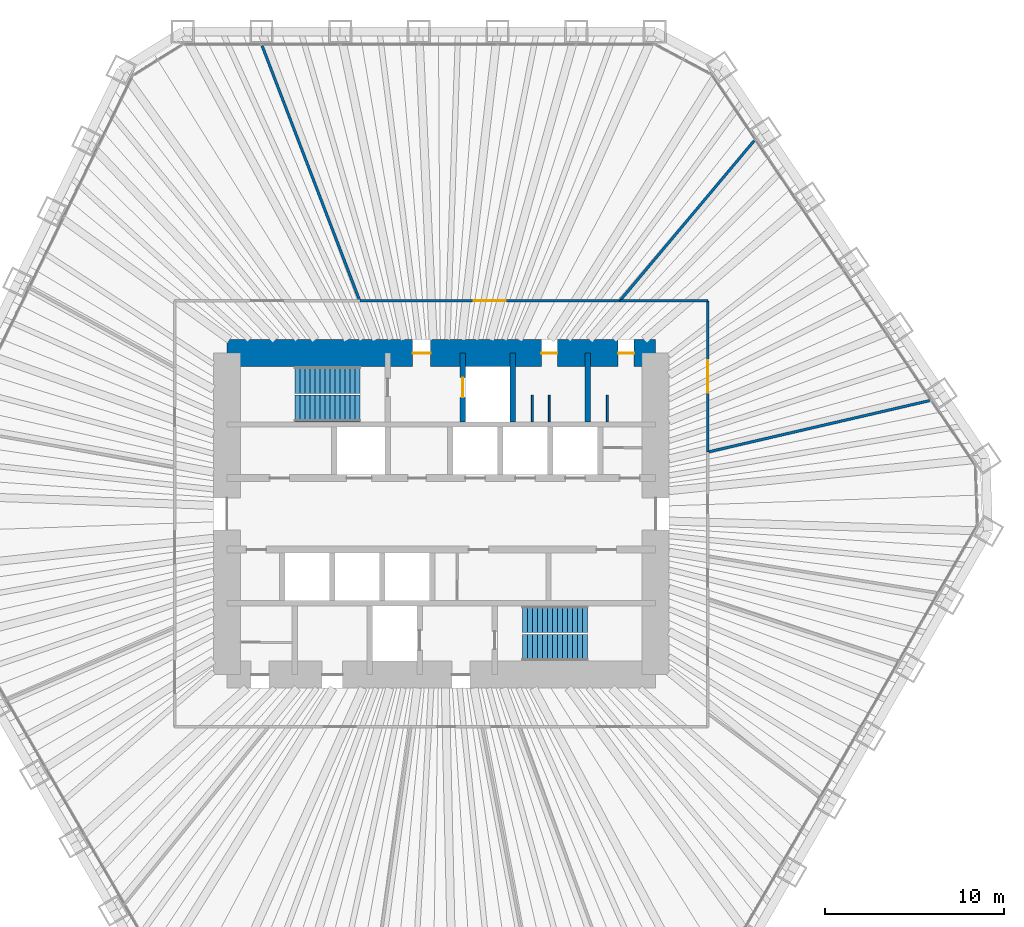
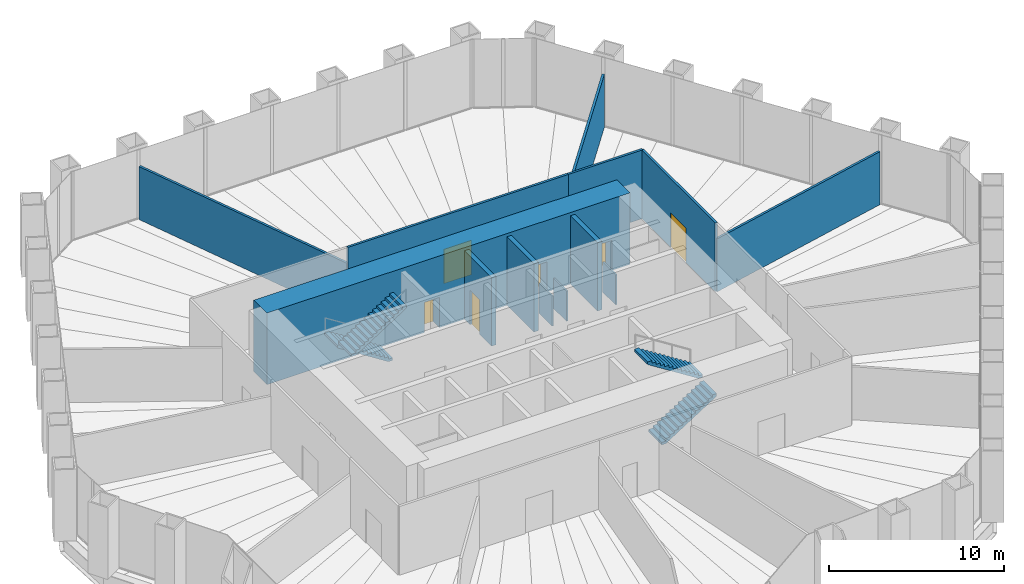
# One storey, part 12 of 13: 13 walls, 6 doors, 4 stair flights, 6 openings, 2 elements without a shape of their own.
"""IFC4 building model written with IfcOpenShell, lengths in metres."""

from ifc_helpers import new_model, si_unit, direction, frame, frame_2d, origin, place, context, subcontext, project, spatial, polyline, rectangle, outline, extrude, material, layer, layer_set, type_object, element, fill, aggregate, save


model = new_model("IFC4")

# Units and contexts
model_context = context("Model", 3, precision=1e-05, world=origin(), true_north=direction((0.0, 1.0)))
body_context = subcontext(model_context, "Body", "Model", "MODEL_VIEW")
ifc_project = project(units=[si_unit("LENGTHUNIT", "METRE"), si_unit("AREAUNIT", "SQUARE_METRE"), si_unit("VOLUMEUNIT", "CUBIC_METRE"), si_unit("PLANEANGLEUNIT", "RADIAN"), si_unit("MASSUNIT", "GRAM", prefix="KILO")], contexts=[model_context])

# Site, building, storey
site_placement = place(None, origin())
site = spatial("IfcSite", under=ifc_project, at=site_placement, CompositionType="ELEMENT")
building_placement = place(site_placement, origin())
building = spatial("IfcBuilding", under=site, at=building_placement, Name="Qingtian Harvest Tower", CompositionType="ELEMENT")
storey_placement = place(building_placement, frame((0.0, 0.0, 22.0)))
storey = spatial("IfcBuildingStorey", under=building, at=storey_placement, Name="L04", CompositionType="ELEMENT", Elevation=22.0)

# Wall, opening, door
ifc_material_1 = material(Name="Precast concrete shaft panel", Category="concrete")
ifc_layer_1 = layer(ifc_material_1, 0.300048828125)
ifc_layer_set_1 = layer_set([ifc_layer_1], Name="Core shaft partition SW1 300")
wall_type_1 = type_object("IfcWallType", Name="Core shaft partition SW1 300", PredefinedType="PARTITIONING", material=ifc_layer_set_1)
wall_1_placement = place(storey_placement, frame((1.199951171875, 5.14990234375, 0.0), z_axis=(0.0, 0.0, 1.0), x_axis=(0.0, 1.0, 0.0)))
wall_1 = element("IfcWall", 1, at=wall_1_placement, inside=storey, type_object=wall_type_1, Name="Core shaft partition XN2 L04", PredefinedType="PARTITIONING", context=body_context, shape_type="SweptSolid", body=[
    extrude(rectangle(XDim=3.85009765625, YDim=0.300048828125, at=frame_2d((1.925048828125, 0.0))), origin(), (0.0, 0.0, 1.0), 4.780029296875),
])
opening_1_placement = place(wall_1_placement, frame((1.375, 0.0, 0.0)))
opening_1 = element("IfcOpeningElement", 2, at=opening_1_placement, cuts=wall_1, Name="Opening LD1", PredefinedType="OPENING", context=body_context, shape_type="SweptSolid", body=[
    extrude(rectangle(XDim=1.10009765625, YDim=2.39990234375, at=frame_2d((0.550048828125, 1.199951171875))), frame((0.0, 0.159912109375, 0.0), z_axis=(0.0, -1.0, 0.0), x_axis=(1.0, 0.0, 0.0)), (0.0, 0.0, 1.0), 0.320068359375),
])
ifc_material_2 = material(Name="Stainless steel lift landing door", Category="steel")
door_type_1 = type_object("IfcDoorType", Name="Lift landing door LD1 1 HR", OperationType="DOUBLE_DOOR_SLIDING", PredefinedType="DOOR", material=ifc_material_2)
door_1_placement = place(opening_1_placement, origin())
door_1 = element("IfcDoor", 3, at=door_1_placement, inside=storey, type_object=door_type_1, Name="FL1 landing door L04", OperationType="DOUBLE_DOOR_SLIDING", OverallHeight=2.39990234375, OverallWidth=1.10009765625, PredefinedType="DOOR", context=body_context, shape_type="SweptSolid", body=[
    extrude(rectangle(XDim=1.10009765625, YDim=2.39990234375, at=frame_2d((0.550048828125, 1.199951171875))), frame((0.0, 0.02490234375, 0.0), z_axis=(0.0, -1.0, 0.0), x_axis=(1.0, 0.0, 0.0)), (0.0, 0.0, 1.0), 0.050048828125),
])
fill(opening_1, door_1)

# Walls
for number, where, z_axis, x_axis, name in (
    (4, (4.0, 5.14990234375, 0.0), (0.0, 0.0, 1.0), (0.0, 1.0, 0.0), "Core shaft partition XN3 L04"),
    (5, (8.199951171875, 5.14990234375, 0.0), (0.0, 0.0, 1.0), (0.0, 1.0, 0.0), "Core shaft partition XN4 L04"),
):
    element("IfcWall", number, at=place(storey_placement, frame(where, z_axis=z_axis, x_axis=x_axis)), inside=storey, type_object=wall_type_1, Name=name, PredefinedType="PARTITIONING", context=body_context, shape_type="SweptSolid", body=[
        extrude(rectangle(XDim=3.85009765625, YDim=0.300048828125, at=frame_2d((1.925048828125, 0.0))), origin(), (0.0, 0.0, 1.0), 4.780029296875),
    ])

# Wall, openings, doors
ifc_material_3 = material(Name="Concrete fc' 70 MPa", Category="concrete")
ifc_layer_2 = layer(ifc_material_3, 1.5)
ifc_layer_set_2 = layer_set([ifc_layer_2], Name="Core wall RC1 1500")
wall_type_2 = type_object("IfcWallType", Name="Core wall RC1 1500", PredefinedType="SHEAR", material=ifc_layer_set_2)
wall_2_placement = place(storey_placement, frame((-12.0, 9.0, 0.0), z_axis=(0.0, 0.0, 1.0), x_axis=(1.0, 0.0, 0.0)))
wall_2 = element("IfcWall", 6, at=wall_2_placement, inside=storey, type_object=wall_type_2, Name="Core wall CN L04", PredefinedType="SHEAR", context=body_context, shape_type="SweptSolid", body=[
    extrude(rectangle(XDim=24.0, YDim=1.5, at=frame_2d((12.0, 0.0))), origin(), (0.0, 0.0, 1.0), 5.0),
])
opening_2_placement = place(wall_2_placement, frame((10.39990234375, 0.0, 0.0)))
opening_2 = element("IfcOpeningElement", 7, at=opening_2_placement, cuts=wall_2, Name="Opening FD1", PredefinedType="OPENING", context=body_context, shape_type="SweptSolid", body=[
    extrude(rectangle(XDim=1.0, YDim=2.10009765625, at=frame_2d((0.5, 1.050048828125))), frame((0.0, 0.760009765625, 0.0), z_axis=(0.0, -1.0, 0.0), x_axis=(1.0, 0.0, 0.0)), (0.0, 0.0, 1.0), 1.52001953125),
])
opening_3_placement = place(wall_2_placement, frame((17.60009765625, 0.0, 0.0)))
opening_3 = element("IfcOpeningElement", 8, at=opening_3_placement, cuts=wall_2, Name="Opening D1", PredefinedType="OPENING", context=body_context, shape_type="SweptSolid", body=[
    extrude(rectangle(XDim=0.89990234375, YDim=2.10009765625, at=frame_2d((0.449951171875, 1.050048828125))), frame((0.0, 0.760009765625, 0.0), z_axis=(0.0, -1.0, 0.0), x_axis=(1.0, 0.0, 0.0)), (0.0, 0.0, 1.0), 1.52001953125),
])
opening_4_placement = place(wall_2_placement, frame((21.89990234375, 0.0, 0.0)))
opening_4 = element("IfcOpeningElement", 9, at=opening_4_placement, cuts=wall_2, Name="Opening D1", PredefinedType="OPENING", context=body_context, shape_type="SweptSolid", body=[
    extrude(rectangle(XDim=0.89990234375, YDim=2.10009765625, at=frame_2d((0.449951171875, 1.050048828125))), frame((0.0, 0.760009765625, 0.0), z_axis=(0.0, -1.0, 0.0), x_axis=(1.0, 0.0, 0.0)), (0.0, 0.0, 1.0), 1.52001953125),
])
ifc_material_4 = material(Name="Steel-faced door leaf", Category="steel")
door_type_2 = type_object("IfcDoorType", Name="Fire door FD1 single 1 HR", OperationType="SINGLE_SWING_LEFT", PredefinedType="DOOR", material=ifc_material_4)
door_2_placement = place(opening_2_placement, origin())
door_2 = element("IfcDoor", 10, at=door_2_placement, inside=storey, type_object=door_type_2, Name="V1 door L04", OperationType="SINGLE_SWING_LEFT", OverallHeight=2.10009765625, OverallWidth=1.0, PredefinedType="DOOR", context=body_context, shape_type="SweptSolid", body=[
    extrude(rectangle(XDim=1.0, YDim=2.10009765625, at=frame_2d((0.5, 1.050048828125))), frame((0.0, 0.02490234375, 0.0), z_axis=(0.0, -1.0, 0.0), x_axis=(1.0, 0.0, 0.0)), (0.0, 0.0, 1.0), 0.050048828125),
])
fill(opening_2, door_2)
ifc_material_5 = material(Name="Laminated timber door leaf", Category="wood")
door_type_3 = type_object("IfcDoorType", Name="Toilet door D1 single", OperationType="SINGLE_SWING_LEFT", PredefinedType="DOOR", material=ifc_material_5)
door_3_placement = place(opening_3_placement, origin())
door_3 = element("IfcDoor", 11, at=door_3_placement, inside=storey, type_object=door_type_3, Name="WCM door L04", OperationType="SINGLE_SWING_RIGHT", OverallHeight=2.10009765625, OverallWidth=0.89990234375, PredefinedType="DOOR", context=body_context, shape_type="SweptSolid", body=[
    extrude(rectangle(XDim=0.89990234375, YDim=2.10009765625, at=frame_2d((0.449951171875, 1.050048828125))), frame((0.0, 0.02490234375, 0.0), z_axis=(0.0, -1.0, 0.0), x_axis=(1.0, 0.0, 0.0)), (0.0, 0.0, 1.0), 0.050048828125),
])
fill(opening_3, door_3)
door_4_placement = place(opening_4_placement, origin())
door_4 = element("IfcDoor", 12, at=door_4_placement, inside=storey, type_object=door_type_3, Name="WCF door L04", OperationType="SINGLE_SWING_RIGHT", OverallHeight=2.10009765625, OverallWidth=0.89990234375, PredefinedType="DOOR", context=body_context, shape_type="SweptSolid", body=[
    extrude(rectangle(XDim=0.89990234375, YDim=2.10009765625, at=frame_2d((0.449951171875, 1.050048828125))), frame((0.0, 0.02490234375, 0.0), z_axis=(0.0, -1.0, 0.0), x_axis=(1.0, 0.0, 0.0)), (0.0, 0.0, 1.0), 0.050048828125),
])
fill(opening_4, door_4)

# Wall
ifc_material_6 = material(Name="Gypsum board on steel studs", Category="steel")
ifc_layer_3 = layer(ifc_material_6, 0.14990234375)
ifc_layer_set_3 = layer_set([ifc_layer_3], Name="Partition PT1 150")
wall_type_3 = type_object("IfcWallType", Name="Partition PT1 150", PredefinedType="PARTITIONING", material=ifc_layer_set_3)
wall_3_placement = place(storey_placement, frame((-10.031005859375, 26.20654296875, 0.0), z_axis=(0.0, 0.0, 1.0), x_axis=(0.357478701909, -0.933921290946, 0.0)))
element("IfcWall", 13, at=wall_3_placement, inside=storey, type_object=wall_type_3, Name="Leafy greens growing room wall L04", PredefinedType="PARTITIONING", context=body_context, shape_type="SweptSolid", body=[
    extrude(rectangle(XDim=15.2919921875, YDim=0.14990234375, at=frame_2d((7.64599609375, 0.0))), origin(), (0.0, 0.0, 1.0), 3.699951171875),
])

# Wall, opening, door
wall_4_placement = place(storey_placement, frame((-4.564453125, 11.925048828125, 0.0), z_axis=(0.0, 0.0, 1.0), x_axis=(1.0, 0.0, 0.0)))
wall_4 = element("IfcWall", 14, at=wall_4_placement, inside=storey, type_object=wall_type_3, Name="Leafy greens growing room wall L04", PredefinedType="PARTITIONING", context=body_context, shape_type="SweptSolid", body=[
    extrude(rectangle(XDim=14.5634765625, YDim=0.14990234375, at=frame_2d((7.28173828125, 0.0))), origin(), (0.0, 0.0, 1.0), 4.800048828125),
])
opening_5_placement = place(wall_4_placement, frame((6.3818359375, 0.0, 0.0)))
opening_5 = element("IfcOpeningElement", 15, at=opening_5_placement, cuts=wall_4, Name="Opening D3", PredefinedType="OPENING", context=body_context, shape_type="SweptSolid", body=[
    extrude(rectangle(XDim=1.800048828125, YDim=2.39990234375, at=frame_2d((0.89990234375, 1.199951171875))), frame((0.0, 0.0849609375, 0.0), z_axis=(0.0, -1.0, 0.0), x_axis=(1.0, 0.0, 0.0)), (0.0, 0.0, 1.0), 0.169921875),
])
ifc_material_7 = material(Name="Laminated timber door leaf", Category="wood")
door_type_4 = type_object("IfcDoorType", Name="Room door D3 double", OperationType="DOUBLE_DOOR_DOUBLE_SWING", PredefinedType="DOOR", material=ifc_material_7)
door_5_placement = place(opening_5_placement, origin())
door_5 = element("IfcDoor", 16, at=door_5_placement, inside=storey, type_object=door_type_4, Name="Leafy greens growing room door L04", OperationType="DOUBLE_DOOR_DOUBLE_SWING", OverallHeight=2.39990234375, OverallWidth=1.800048828125, PredefinedType="DOOR", context=body_context, shape_type="SweptSolid", body=[
    extrude(rectangle(XDim=1.800048828125, YDim=2.39990234375, at=frame_2d((0.89990234375, 1.199951171875))), frame((0.0, 0.02490234375, 0.0), z_axis=(0.0, -1.0, 0.0), x_axis=(1.0, 0.0, 0.0)), (0.0, 0.0, 1.0), 0.050048828125),
])
fill(opening_5, door_5)

# Walls
wall_5_placement = place(storey_placement, frame((17.5166015625, 20.890625, 0.0), z_axis=(0.0, 0.0, 1.0), x_axis=(-0.642515050703, -0.766273064658, 0.0)))
element("IfcWall", 17, at=wall_5_placement, inside=storey, type_object=wall_type_3, Name="Leafy greens growing room wall L04", PredefinedType="PARTITIONING", context=body_context, shape_type="SweptSolid", body=[
    extrude(rectangle(XDim=11.7001953125, YDim=0.14990234375, at=frame_2d((5.85009765625, 0.0))), origin(), (0.0, 0.0, 1.0), 3.699951171875),
])
wall_6_placement = place(storey_placement, frame((9.9990234375, 11.925048828125, 0.0), z_axis=(0.0, 0.0, 1.0), x_axis=(1.0, 0.0, 0.0)))
element("IfcWall", 18, at=wall_6_placement, inside=storey, type_object=wall_type_3, Name="Leafy greens growing room wall L04", PredefinedType="PARTITIONING", context=body_context, shape_type="SweptSolid", body=[
    extrude(rectangle(XDim=4.926025390625, YDim=0.14990234375, at=frame_2d((2.462890625, 0.0))), origin(), (0.0, 0.0, 1.0), 4.800048828125),
])

# Wall, opening, door
wall_7_placement = place(storey_placement, frame((14.925048828125, 11.925048828125, 0.0), z_axis=(0.0, 0.0, 1.0), x_axis=(0.0, -1.0, 0.0)))
wall_7 = element("IfcWall", 19, at=wall_7_placement, inside=storey, type_object=wall_type_3, Name="Leafy greens growing room wall L04", PredefinedType="PARTITIONING", context=body_context, shape_type="SweptSolid", body=[
    extrude(rectangle(XDim=8.46435546875, YDim=0.14990234375, at=frame_2d((4.232177734375, 0.0))), origin(), (0.0, 0.0, 1.0), 4.800048828125),
])
opening_6_placement = place(wall_7_placement, frame((3.33203125, 0.0, 0.0)))
opening_6 = element("IfcOpeningElement", 20, at=opening_6_placement, cuts=wall_7, Name="Opening D3", PredefinedType="OPENING", context=body_context, shape_type="SweptSolid", body=[
    extrude(rectangle(XDim=1.800048828125, YDim=2.39990234375, at=frame_2d((0.89990234375, 1.199951171875))), frame((0.0, 0.0849609375, 0.0), z_axis=(0.0, -1.0, 0.0), x_axis=(1.0, 0.0, 0.0)), (0.0, 0.0, 1.0), 0.169921875),
])
door_6_placement = place(opening_6_placement, origin())
door_6 = element("IfcDoor", 21, at=door_6_placement, inside=storey, type_object=door_type_4, Name="Leafy greens growing room door L04", OperationType="DOUBLE_DOOR_DOUBLE_SWING", OverallHeight=2.39990234375, OverallWidth=1.800048828125, PredefinedType="DOOR", context=body_context, shape_type="SweptSolid", body=[
    extrude(rectangle(XDim=1.800048828125, YDim=2.39990234375, at=frame_2d((0.89990234375, 1.199951171875))), frame((0.0, 0.02490234375, 0.0), z_axis=(0.0, -1.0, 0.0), x_axis=(1.0, 0.0, 0.0)), (0.0, 0.0, 1.0), 0.050048828125),
])
fill(opening_6, door_6)

# Walls
wall_8_placement = place(storey_placement, frame((27.335693359375, 6.33837890625, 0.0), z_axis=(0.0, 0.0, 1.0), x_axis=(-0.97415520937, -0.22587967606, 0.0)))
element("IfcWall", 22, at=wall_8_placement, inside=storey, type_object=wall_type_3, Name="Herb growing room wall L04", PredefinedType="PARTITIONING", context=body_context, shape_type="SweptSolid", body=[
    extrude(rectangle(XDim=12.739990234375, YDim=0.14990234375, at=frame_2d((6.3701171875, 0.0))), origin(), (0.0, 0.0, 1.0), 3.699951171875),
])
ifc_material_8 = material(Name="Compact laminate cubicle partition", Category="plastic")
ifc_layer_4 = layer(ifc_material_8, 0.10009765625)
ifc_layer_set_4 = layer_set([ifc_layer_4], Name="WC cubicle partition WP1 100")
wall_type_4 = type_object("IfcWallType", Name="WC cubicle partition WP1 100", PredefinedType="PARTITIONING", material=ifc_layer_set_4)
for number, where, z_axis, x_axis, name in (
    (23, (5.10009765625, 5.14990234375, 0.0), (0.0, 0.0, 1.0), (0.0, 1.0, 0.0), "WC cubicle partition WCM L04"),
    (24, (6.050048828125, 5.14990234375, 0.0), (0.0, 0.0, 1.0), (0.0, 1.0, 0.0), "WC cubicle partition WCM L04"),
    (25, (9.300048828125, 5.14990234375, 0.0), (0.0, 0.0, 1.0), (0.0, 1.0, 0.0), "WC cubicle partition WCF L04"),
):
    element("IfcWall", number, at=place(storey_placement, frame(where, z_axis=z_axis, x_axis=x_axis)), inside=storey, type_object=wall_type_4, Name=name, PredefinedType="PARTITIONING", context=body_context, shape_type="SweptSolid", body=[
        extrude(rectangle(XDim=1.5, YDim=0.10009765625, at=frame_2d((0.75, 0.0))), origin(), (0.0, 0.0, 1.0), 2.10009765625),
    ])

# Stair, stair flights
ifc_material_9 = material(Name="Concrete fc' 35 MPa", Category="concrete")
stair_type = type_object("IfcStairType", Name="Special stair ST2 5000", PredefinedType="HALF_TURN_STAIR", material=ifc_material_9)
stair_1_placement = place(storey_placement, origin())
stair_1 = element("IfcStair", 26, at=stair_1_placement, inside=storey, type_object=stair_type, Name="Special stair S1 L04", PredefinedType="HALF_TURN_STAIR")
ifc_material_10 = material(Name="Concrete fc' 35 MPa", Category="concrete")
stair_flight_type = type_object("IfcStairFlightType", Name="Stair flight SF2 5000", PredefinedType="STRAIGHT", material=ifc_material_10)
stair_flight_1_placement = place(storey_placement, frame((-4.550048828125, 7.5, 0.0), z_axis=(0.0, 0.0, 1.0), x_axis=(-1.0, 0.0, 0.0)))
stair_flight_1 = element("IfcStairFlight", 27, at=stair_flight_1_placement, type_object=stair_flight_type, Name="S1 flight 1", NumberOfRisers=14, NumberOfTreads=13, PredefinedType="STRAIGHT", RiserHeight=0.178571429, TreadLength=0.28, context=body_context, shape_type="SweptSolid", body=[
    extrude(outline(polyline([(0.0, 0.0), (0.0, 0.178466796875), (0.280029296875, 0.178466796875), (0.280029296875, 0.357177734375), (0.56005859375, 0.357177734375), (0.56005859375, 0.53564453125), (0.840087890625, 0.53564453125), (0.840087890625, 0.71435546875), (1.1201171875, 0.71435546875), (1.1201171875, 0.892822265625), (1.39990234375, 0.892822265625), (1.39990234375, 1.071533203125), (1.679931640625, 1.071533203125), (1.679931640625, 1.25), (1.9599609375, 1.25), (1.9599609375, 1.428466796875), (2.239990234375, 1.428466796875), (2.239990234375, 1.607177734375), (2.52001953125, 1.607177734375), (2.52001953125, 1.78564453125), (2.800048828125, 1.78564453125), (2.800048828125, 1.96435546875), (3.080078125, 1.96435546875), (3.080078125, 2.142822265625), (3.360107421875, 2.142822265625), (3.360107421875, 2.321533203125), (3.639892578125, 2.321533203125), (3.639892578125, 2.5), (3.639892578125, 2.1435546875), (0.27880859375, 0.0), (0.0, 0.0)])), frame((0.0, 0.75, 0.0), z_axis=(0.0, -1.0, 0.0), x_axis=(1.0, 0.0, 0.0)), (0.0, 0.0, 1.0), 1.5),
])
stair_flight_2_placement = place(storey_placement, frame((-8.18994140625, 5.89990234375, 2.5), z_axis=(0.0, 0.0, 1.0), x_axis=(1.0, 0.0, 0.0)))
stair_flight_2 = element("IfcStairFlight", 28, at=stair_flight_2_placement, type_object=stair_flight_type, Name="S1 flight 2", NumberOfRisers=14, NumberOfTreads=13, PredefinedType="STRAIGHT", RiserHeight=0.178571429, TreadLength=0.28, context=body_context, shape_type="SweptSolid", body=[
    extrude(outline(polyline([(0.0, 0.0), (0.0, 0.178466796875), (0.280029296875, 0.178466796875), (0.280029296875, 0.357177734375), (0.56005859375, 0.357177734375), (0.56005859375, 0.53564453125), (0.840087890625, 0.53564453125), (0.840087890625, 0.71435546875), (1.1201171875, 0.71435546875), (1.1201171875, 0.892822265625), (1.39990234375, 0.892822265625), (1.39990234375, 1.071533203125), (1.679931640625, 1.071533203125), (1.679931640625, 1.25), (1.9599609375, 1.25), (1.9599609375, 1.428466796875), (2.239990234375, 1.428466796875), (2.239990234375, 1.607177734375), (2.52001953125, 1.607177734375), (2.52001953125, 1.78564453125), (2.800048828125, 1.78564453125), (2.800048828125, 1.96435546875), (3.080078125, 1.96435546875), (3.080078125, 2.142822265625), (3.360107421875, 2.142822265625), (3.360107421875, 2.321533203125), (3.639892578125, 2.321533203125), (3.639892578125, 2.5), (3.639892578125, 2.1435546875), (0.27880859375, 0.0), (0.0, 0.0)])), frame((0.0, 0.75, 0.0), z_axis=(0.0, -1.0, 0.0), x_axis=(1.0, 0.0, 0.0)), (0.0, 0.0, 1.0), 1.5),
])
aggregate(stair_1, [stair_flight_1, stair_flight_2])

stair_2_placement = place(storey_placement, origin())
stair_2 = element("IfcStair", 29, at=stair_2_placement, inside=storey, type_object=stair_type, Name="Special stair S2 L04", PredefinedType="HALF_TURN_STAIR")
stair_flight_3_placement = place(storey_placement, frame((4.550048828125, -7.5, 0.0), z_axis=(0.0, 0.0, 1.0), x_axis=(1.0, 0.0, 0.0)))
stair_flight_3 = element("IfcStairFlight", 30, at=stair_flight_3_placement, type_object=stair_flight_type, Name="S2 flight 1", NumberOfRisers=14, NumberOfTreads=13, PredefinedType="STRAIGHT", RiserHeight=0.178571429, TreadLength=0.28, context=body_context, shape_type="SweptSolid", body=[
    extrude(outline(polyline([(0.0, 0.0), (0.0, 0.178466796875), (0.280029296875, 0.178466796875), (0.280029296875, 0.357177734375), (0.56005859375, 0.357177734375), (0.56005859375, 0.53564453125), (0.840087890625, 0.53564453125), (0.840087890625, 0.71435546875), (1.1201171875, 0.71435546875), (1.1201171875, 0.892822265625), (1.39990234375, 0.892822265625), (1.39990234375, 1.071533203125), (1.679931640625, 1.071533203125), (1.679931640625, 1.25), (1.9599609375, 1.25), (1.9599609375, 1.428466796875), (2.239990234375, 1.428466796875), (2.239990234375, 1.607177734375), (2.52001953125, 1.607177734375), (2.52001953125, 1.78564453125), (2.800048828125, 1.78564453125), (2.800048828125, 1.96435546875), (3.080078125, 1.96435546875), (3.080078125, 2.142822265625), (3.360107421875, 2.142822265625), (3.360107421875, 2.321533203125), (3.639892578125, 2.321533203125), (3.639892578125, 2.5), (3.639892578125, 2.1435546875), (0.27880859375, 0.0), (0.0, 0.0)])), frame((0.0, 0.75, 0.0), z_axis=(0.0, -1.0, 0.0), x_axis=(1.0, 0.0, 0.0)), (0.0, 0.0, 1.0), 1.5),
])
stair_flight_4_placement = place(storey_placement, frame((8.18994140625, -5.89990234375, 2.5), z_axis=(0.0, 0.0, 1.0), x_axis=(-1.0, 0.0, 0.0)))
stair_flight_4 = element("IfcStairFlight", 31, at=stair_flight_4_placement, type_object=stair_flight_type, Name="S2 flight 2", NumberOfRisers=14, NumberOfTreads=13, PredefinedType="STRAIGHT", RiserHeight=0.178571429, TreadLength=0.28, context=body_context, shape_type="SweptSolid", body=[
    extrude(outline(polyline([(0.0, 0.0), (0.0, 0.178466796875), (0.280029296875, 0.178466796875), (0.280029296875, 0.357177734375), (0.56005859375, 0.357177734375), (0.56005859375, 0.53564453125), (0.840087890625, 0.53564453125), (0.840087890625, 0.71435546875), (1.1201171875, 0.71435546875), (1.1201171875, 0.892822265625), (1.39990234375, 0.892822265625), (1.39990234375, 1.071533203125), (1.679931640625, 1.071533203125), (1.679931640625, 1.25), (1.9599609375, 1.25), (1.9599609375, 1.428466796875), (2.239990234375, 1.428466796875), (2.239990234375, 1.607177734375), (2.52001953125, 1.607177734375), (2.52001953125, 1.78564453125), (2.800048828125, 1.78564453125), (2.800048828125, 1.96435546875), (3.080078125, 1.96435546875), (3.080078125, 2.142822265625), (3.360107421875, 2.142822265625), (3.360107421875, 2.321533203125), (3.639892578125, 2.321533203125), (3.639892578125, 2.5), (3.639892578125, 2.1435546875), (0.27880859375, 0.0), (0.0, 0.0)])), frame((0.0, 0.75, 0.0), z_axis=(0.0, -1.0, 0.0), x_axis=(1.0, 0.0, 0.0)), (0.0, 0.0, 1.0), 1.5),
])
aggregate(stair_2, [stair_flight_3, stair_flight_4])

save(model, "model.ifc")
